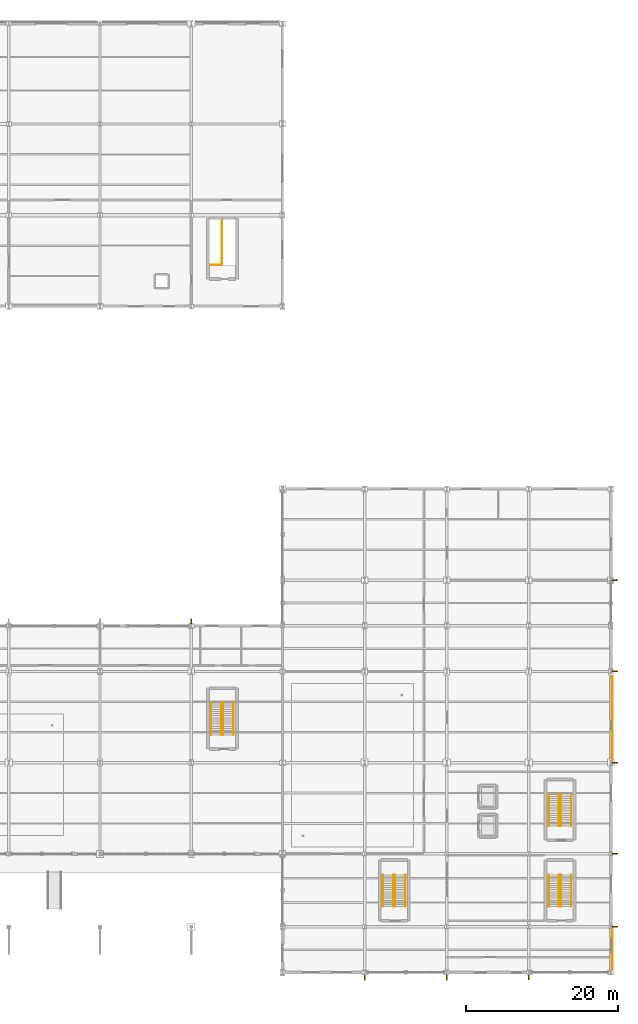
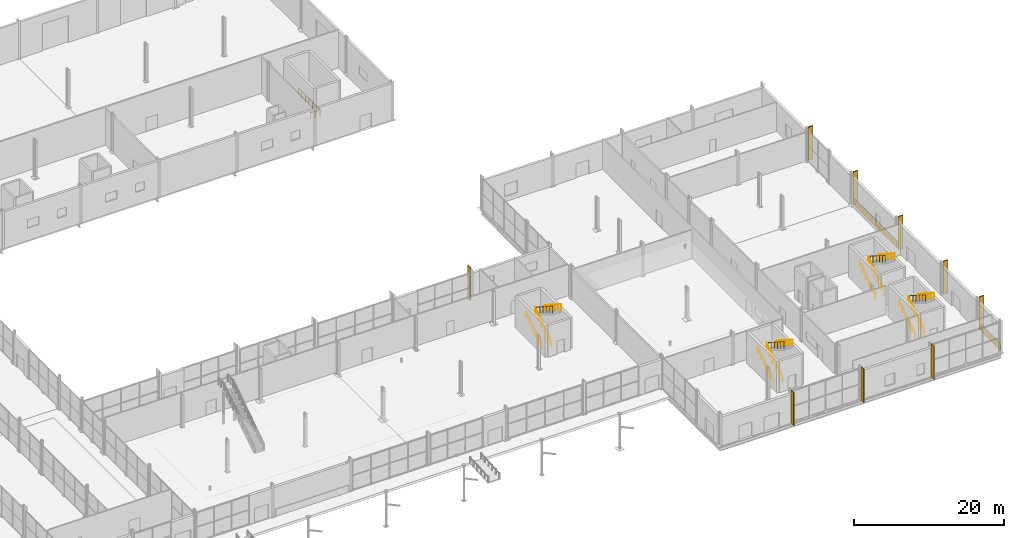
# One storey, part 194 of 196: 17 railings, 11 coverings.
"""IFC4 building model written with IfcOpenShell, lengths in metres."""

from ifc_helpers import new_model, si_unit, direction, frame, origin, origin_2d, place, context, subcontext, project, spatial, polyline, circle, outline, extrude, material, layer, layer_set, type_object, element, save


model = new_model("IFC4")

# Units and contexts
model_context = context("Model", 3, precision=1e-05, world=origin(), true_north=direction((0.0, 1.0)))
body_context = subcontext(model_context, "Body", "Model", "MODEL_VIEW")
ifc_project = project(units=[si_unit("LENGTHUNIT", "METRE"), si_unit("AREAUNIT", "SQUARE_METRE"), si_unit("VOLUMEUNIT", "CUBIC_METRE"), si_unit("PLANEANGLEUNIT", "RADIAN"), si_unit("MASSUNIT", "GRAM", prefix="KILO")], contexts=[model_context])

# Site, building, storey
site_placement = place(None, origin())
site = spatial("IfcSite", under=ifc_project, at=site_placement, CompositionType="ELEMENT")
building_placement = place(site_placement, origin())
building = spatial("IfcBuilding", under=site, at=building_placement, Name="Merenkruunu Market Hall", CompositionType="ELEMENT")
storey_placement = place(building_placement, origin())
storey = spatial("IfcBuildingStorey", under=building, at=storey_placement, Name="L00", CompositionType="ELEMENT", Elevation=0.0)

# Coverings
ifc_material_1 = material(Name="Precast concrete C40/50", Category="concrete")
ifc_layer_1 = layer(ifc_material_1, 0.139892578125)
ifc_layer_set_1 = layer_set([ifc_layer_1], Name="Precast concrete C40/50")
covering_type_1 = type_object("IfcCoveringType", Name="Architectural Precast Sun Fin CLD02", PredefinedType="CLADDING", material=ifc_layer_set_1)
covering_1_placement = place(storey_placement, origin())
element("IfcCovering", 1, at=covering_1_placement, inside=storey, type_object=covering_type_1, Name="FIN-N-L00-066", PredefinedType="CLADDING", context=body_context, shape_type="SweptSolid", body=[
    extrude(outline(polyline([(136.72998046875, 45.818115234375), (136.8701171875, 45.818115234375), (136.8701171875, 46.5400390625), (136.72998046875, 46.5400390625), (136.72998046875, 45.818115234375)])), origin(), (0.0, 0.0, 1.0), 5.39990234375),
])
covering_2_placement = place(storey_placement, origin())
element("IfcCovering", 2, at=covering_2_placement, inside=storey, type_object=covering_type_1, Name="FIN-S-L00-068", PredefinedType="CLADDING", context=body_context, shape_type="SweptSolid", body=[
    extrude(outline(polyline([(159.530029296875, -0.989990234375), (159.669921875, -0.989990234375), (159.669921875, -0.26806640625), (159.530029296875, -0.26806640625), (159.530029296875, -0.989990234375)])), origin(), (0.0, 0.0, 1.0), 5.39990234375),
])
covering_3_placement = place(storey_placement, origin())
element("IfcCovering", 3, at=covering_3_placement, inside=storey, type_object=covering_type_1, Name="FIN-S-L00-073", PredefinedType="CLADDING", context=body_context, shape_type="SweptSolid", body=[
    extrude(outline(polyline([(170.330078125, -0.989990234375), (170.469970703125, -0.989990234375), (170.469970703125, -0.26806640625), (170.330078125, -0.26806640625), (170.330078125, -0.989990234375)])), origin(), (0.0, 0.0, 1.0), 5.39990234375),
])
covering_4_placement = place(storey_placement, origin())
element("IfcCovering", 4, at=covering_4_placement, inside=storey, type_object=covering_type_1, Name="FIN-S-L00-078", PredefinedType="CLADDING", context=body_context, shape_type="SweptSolid", body=[
    extrude(outline(polyline([(181.1298828125, -0.989990234375), (181.27001953125, -0.989990234375), (181.27001953125, -0.26806640625), (181.1298828125, -0.26806640625), (181.1298828125, -0.989990234375)])), origin(), (0.0, 0.0, 1.0), 5.39990234375),
])
covering_5_placement = place(storey_placement, origin())
element("IfcCovering", 5, at=covering_5_placement, inside=storey, type_object=covering_type_1, Name="FIN-E-L00-083", PredefinedType="CLADDING", context=body_context, shape_type="SweptSolid", body=[
    extrude(outline(polyline([(192.14794921875, 5.929931640625), (192.8701171875, 5.929931640625), (192.8701171875, 6.070068359375), (192.14794921875, 6.070068359375), (192.14794921875, 5.929931640625)])), origin(), (0.0, 0.0, 1.0), 5.39990234375),
])
covering_6_placement = place(storey_placement, origin())
element("IfcCovering", 6, at=covering_6_placement, inside=storey, type_object=covering_type_1, Name="FIN-E-L00-088", PredefinedType="CLADDING", context=body_context, shape_type="SweptSolid", body=[
    extrude(outline(polyline([(192.14794921875, 15.530029296875), (192.8701171875, 15.530029296875), (192.8701171875, 15.669921875), (192.14794921875, 15.669921875), (192.14794921875, 15.530029296875)])), origin(), (0.0, 0.0, 1.0), 5.39990234375),
])
covering_7_placement = place(storey_placement, origin())
element("IfcCovering", 7, at=covering_7_placement, inside=storey, type_object=covering_type_1, Name="FIN-E-L00-093", PredefinedType="CLADDING", context=body_context, shape_type="SweptSolid", body=[
    extrude(outline(polyline([(192.14794921875, 27.530029296875), (192.8701171875, 27.530029296875), (192.8701171875, 27.669921875), (192.14794921875, 27.669921875), (192.14794921875, 27.530029296875)])), origin(), (0.0, 0.0, 1.0), 5.39990234375),
])
covering_8_placement = place(storey_placement, origin())
element("IfcCovering", 8, at=covering_8_placement, inside=storey, type_object=covering_type_1, Name="FIN-E-L00-098", PredefinedType="CLADDING", context=body_context, shape_type="SweptSolid", body=[
    extrude(outline(polyline([(192.14794921875, 39.530029296875), (192.8701171875, 39.530029296875), (192.8701171875, 39.669921875), (192.14794921875, 39.669921875), (192.14794921875, 39.530029296875)])), origin(), (0.0, 0.0, 1.0), 5.39990234375),
])
covering_9_placement = place(storey_placement, origin())
element("IfcCovering", 9, at=covering_9_placement, inside=storey, type_object=covering_type_1, Name="FIN-E-L00-102", PredefinedType="CLADDING", context=body_context, shape_type="SweptSolid", body=[
    extrude(outline(polyline([(192.14794921875, 51.530029296875), (192.8701171875, 51.530029296875), (192.8701171875, 51.669921875), (192.14794921875, 51.669921875), (192.14794921875, 51.530029296875)])), origin(), (0.0, 0.0, 1.0), 5.39990234375),
])

# Railings
ifc_material_2 = material(Name="Brushed stainless steel", Category="steel")
railing_type_1 = type_object("IfcRailingType", Name="Gallery Balustrade Guard GR01", PredefinedType="BALUSTRADE", material=ifc_material_2)
railing_1_placement = place(storey_placement, frame((185.18994140625, 8.64990234375, 0.0)))
element("IfcRailing", 10, at=railing_1_placement, inside=storey, type_object=railing_type_1, Name="RAIL-L00-0037", PredefinedType="BALUSTRADE", context=body_context, shape_type="SweptSolid", body=[
    extrude(circle(Radius=0.02392578125, at=origin_2d()), frame((0.0, 0.0, 1.076171875), z_axis=(0.0, 0.841194361566, 0.540732878665), x_axis=(-1.0, 0.0, 0.0)), (0.0, 0.0, 1.0), 4.9931640625),
    extrude(circle(Radius=0.02099609375, at=origin_2d()), origin(), (0.0, 0.0, 1.0), 1.052001953125),
    extrude(circle(Radius=0.02099609375, at=origin_2d()), frame((0.0, 0.840087890625, 0.5400390625)), (0.0, 0.0, 1.0), 1.052001953125),
    extrude(circle(Radius=0.02099609375, at=origin_2d()), frame((0.0, 1.68017578125, 1.080078125)), (0.0, 0.0, 1.0), 1.052001953125),
    extrude(circle(Radius=0.02099609375, at=origin_2d()), frame((0.0, 2.52001953125, 1.619873046875)), (0.0, 0.0, 1.0), 1.052001953125),
    extrude(circle(Radius=0.02099609375, at=origin_2d()), frame((0.0, 3.360107421875, 2.159912109375)), (0.0, 0.0, 1.0), 1.052001953125),
    extrude(circle(Radius=0.02099609375, at=origin_2d()), frame((0.0, 4.2001953125, 2.699951171875)), (0.0, 0.0, 1.0), 1.052001953125),
])
railing_2_placement = place(storey_placement, frame((185.409912109375, 12.85009765625, 2.699951171875)))
element("IfcRailing", 11, at=railing_2_placement, inside=storey, type_object=railing_type_1, Name="RAIL-L00-0038", PredefinedType="BALUSTRADE", context=body_context, shape_type="SweptSolid", body=[
    extrude(circle(Radius=0.02392578125, at=origin_2d()), frame((0.0, 0.0, 1.076171875), z_axis=(0.0, -0.841194361566, 0.540732878665), x_axis=(1.0, 0.0, 0.0)), (0.0, 0.0, 1.0), 4.9931640625),
    extrude(circle(Radius=0.02099609375, at=origin_2d()), origin(), (0.0, 0.0, 1.0), 1.052001953125),
    extrude(circle(Radius=0.02099609375, at=origin_2d()), frame((0.0, -0.840087890625, 0.5400390625)), (0.0, 0.0, 1.0), 1.052001953125),
    extrude(circle(Radius=0.02099609375, at=origin_2d()), frame((0.0, -1.68017578125, 1.080078125)), (0.0, 0.0, 1.0), 1.052001953125),
    extrude(circle(Radius=0.02099609375, at=origin_2d()), frame((0.0, -2.52001953125, 1.619873046875)), (0.0, 0.0, 1.0), 1.052001953125),
    extrude(circle(Radius=0.02099609375, at=origin_2d()), frame((0.0, -3.360107421875, 2.159912109375)), (0.0, 0.0, 1.0), 1.052001953125),
    extrude(circle(Radius=0.02099609375, at=origin_2d()), frame((0.0, -4.2001953125, 2.699951171875)), (0.0, 0.0, 1.0), 1.052001953125),
])
railing_3_placement = place(storey_placement, frame((185.18994140625, 19.25, 0.0)))
element("IfcRailing", 12, at=railing_3_placement, inside=storey, type_object=railing_type_1, Name="RAIL-L00-0054", PredefinedType="BALUSTRADE", context=body_context, shape_type="SweptSolid", body=[
    extrude(circle(Radius=0.02392578125, at=origin_2d()), frame((0.0, 0.0, 1.076171875), z_axis=(0.0, 0.841180064094, 0.540755119968), x_axis=(-1.0, 0.0, 0.0)), (0.0, 0.0, 1.0), 4.992919921875),
    extrude(circle(Radius=0.02099609375, at=origin_2d()), origin(), (0.0, 0.0, 1.0), 1.052001953125),
    extrude(circle(Radius=0.02099609375, at=origin_2d()), frame((0.0, 0.840087890625, 0.5400390625)), (0.0, 0.0, 1.0), 1.052001953125),
    extrude(circle(Radius=0.02099609375, at=origin_2d()), frame((0.0, 1.679931640625, 1.080078125)), (0.0, 0.0, 1.0), 1.052001953125),
    extrude(circle(Radius=0.02099609375, at=origin_2d()), frame((0.0, 2.52001953125, 1.619873046875)), (0.0, 0.0, 1.0), 1.052001953125),
    extrude(circle(Radius=0.02099609375, at=origin_2d()), frame((0.0, 3.35986328125, 2.159912109375)), (0.0, 0.0, 1.0), 1.052001953125),
    extrude(circle(Radius=0.02099609375, at=origin_2d()), frame((0.0, 4.199951171875, 2.699951171875)), (0.0, 0.0, 1.0), 1.052001953125),
])
railing_4_placement = place(storey_placement, frame((185.409912109375, 23.449951171875, 2.699951171875)))
element("IfcRailing", 13, at=railing_4_placement, inside=storey, type_object=railing_type_1, Name="RAIL-L00-0055", PredefinedType="BALUSTRADE", context=body_context, shape_type="SweptSolid", body=[
    extrude(circle(Radius=0.02392578125, at=origin_2d()), frame((0.0, 0.0, 1.076171875), z_axis=(0.0, -0.841180064094, 0.540755119968), x_axis=(1.0, 0.0, 0.0)), (0.0, 0.0, 1.0), 4.992919921875),
    extrude(circle(Radius=0.02099609375, at=origin_2d()), origin(), (0.0, 0.0, 1.0), 1.052001953125),
    extrude(circle(Radius=0.02099609375, at=origin_2d()), frame((0.0, -0.840087890625, 0.5400390625)), (0.0, 0.0, 1.0), 1.052001953125),
    extrude(circle(Radius=0.02099609375, at=origin_2d()), frame((0.0, -1.679931640625, 1.080078125)), (0.0, 0.0, 1.0), 1.052001953125),
    extrude(circle(Radius=0.02099609375, at=origin_2d()), frame((0.0, -2.52001953125, 1.619873046875)), (0.0, 0.0, 1.0), 1.052001953125),
    extrude(circle(Radius=0.02099609375, at=origin_2d()), frame((0.0, -3.35986328125, 2.159912109375)), (0.0, 0.0, 1.0), 1.052001953125),
    extrude(circle(Radius=0.02099609375, at=origin_2d()), frame((0.0, -4.199951171875, 2.699951171875)), (0.0, 0.0, 1.0), 1.052001953125),
])
railing_5_placement = place(storey_placement, frame((139.360107421875, 93.0400390625, 0.0)))
element("IfcRailing", 14, at=railing_5_placement, inside=storey, type_object=railing_type_1, Name="RAIL-L00-0075", PredefinedType="BALUSTRADE", context=body_context, shape_type="SweptSolid", body=[
    extrude(circle(Radius=0.02392578125, at=origin_2d()), frame((0.0, 0.0, 1.076171875), z_axis=(1.0, 0.0, 0.0), x_axis=(0.0, 1.0, 0.0)), (0.0, 0.0, 1.0), 1.5),
    extrude(circle(Radius=0.02392578125, at=origin_2d()), frame((1.5, 0.0, 1.076171875), z_axis=(0.0, 1.0, 0.0), x_axis=(-1.0, 0.0, 0.0)), (0.0, 0.0, 1.0), 5.800048828125),
    extrude(circle(Radius=0.02099609375, at=origin_2d()), origin(), (0.0, 0.0, 1.0), 1.052001953125),
    extrude(circle(Radius=0.02099609375, at=origin_2d()), frame((0.75, 0.0, 0.0)), (0.0, 0.0, 1.0), 1.052001953125),
    extrude(circle(Radius=0.02099609375, at=origin_2d()), frame((1.5, 0.0, 0.0)), (0.0, 0.0, 1.0), 1.052001953125),
    extrude(circle(Radius=0.02099609375, at=origin_2d()), frame((1.5, 0.966796875, 0.0)), (0.0, 0.0, 1.0), 1.052001953125),
    extrude(circle(Radius=0.02099609375, at=origin_2d()), frame((1.5, 1.933349609375, 0.0)), (0.0, 0.0, 1.0), 1.052001953125),
    extrude(circle(Radius=0.02099609375, at=origin_2d()), frame((1.5, 2.89990234375, 0.0)), (0.0, 0.0, 1.0), 1.052001953125),
    extrude(circle(Radius=0.02099609375, at=origin_2d()), frame((1.5, 3.86669921875, 0.0)), (0.0, 0.0, 1.0), 1.052001953125),
    extrude(circle(Radius=0.02099609375, at=origin_2d()), frame((1.5, 4.83349609375, 0.0)), (0.0, 0.0, 1.0), 1.052001953125),
    extrude(circle(Radius=0.02099609375, at=origin_2d()), frame((1.5, 5.800048828125, 0.0)), (0.0, 0.0, 1.0), 1.052001953125),
])
railing_6_placement = place(storey_placement, frame((140.7900390625, 31.25, 0.0)))
element("IfcRailing", 15, at=railing_6_placement, inside=storey, type_object=railing_type_1, Name="RAIL-L00-0076", PredefinedType="BALUSTRADE", context=body_context, shape_type="SweptSolid", body=[
    extrude(circle(Radius=0.02392578125, at=origin_2d()), frame((0.0, 0.0, 1.076171875), z_axis=(0.0, 0.841180064094, 0.540755119968), x_axis=(-1.0, 0.0, 0.0)), (0.0, 0.0, 1.0), 4.992919921875),
    extrude(circle(Radius=0.02099609375, at=origin_2d()), origin(), (0.0, 0.0, 1.0), 1.052001953125),
    extrude(circle(Radius=0.02099609375, at=origin_2d()), frame((0.0, 0.840087890625, 0.5400390625)), (0.0, 0.0, 1.0), 1.052001953125),
    extrude(circle(Radius=0.02099609375, at=origin_2d()), frame((0.0, 1.679931640625, 1.080078125)), (0.0, 0.0, 1.0), 1.052001953125),
    extrude(circle(Radius=0.02099609375, at=origin_2d()), frame((0.0, 2.52001953125, 1.619873046875)), (0.0, 0.0, 1.0), 1.052001953125),
    extrude(circle(Radius=0.02099609375, at=origin_2d()), frame((0.0, 3.35986328125, 2.159912109375)), (0.0, 0.0, 1.0), 1.052001953125),
    extrude(circle(Radius=0.02099609375, at=origin_2d()), frame((0.0, 4.199951171875, 2.699951171875)), (0.0, 0.0, 1.0), 1.052001953125),
])
railing_7_placement = place(storey_placement, frame((141.010009765625, 35.449951171875, 2.699951171875)))
element("IfcRailing", 16, at=railing_7_placement, inside=storey, type_object=railing_type_1, Name="RAIL-L00-0077", PredefinedType="BALUSTRADE", context=body_context, shape_type="SweptSolid", body=[
    extrude(circle(Radius=0.02392578125, at=origin_2d()), frame((0.0, 0.0, 1.076171875), z_axis=(0.0, -0.841180064094, 0.540755119968), x_axis=(1.0, 0.0, 0.0)), (0.0, 0.0, 1.0), 4.992919921875),
    extrude(circle(Radius=0.02099609375, at=origin_2d()), origin(), (0.0, 0.0, 1.0), 1.052001953125),
    extrude(circle(Radius=0.02099609375, at=origin_2d()), frame((0.0, -0.840087890625, 0.5400390625)), (0.0, 0.0, 1.0), 1.052001953125),
    extrude(circle(Radius=0.02099609375, at=origin_2d()), frame((0.0, -1.679931640625, 1.080078125)), (0.0, 0.0, 1.0), 1.052001953125),
    extrude(circle(Radius=0.02099609375, at=origin_2d()), frame((0.0, -2.52001953125, 1.619873046875)), (0.0, 0.0, 1.0), 1.052001953125),
    extrude(circle(Radius=0.02099609375, at=origin_2d()), frame((0.0, -3.35986328125, 2.159912109375)), (0.0, 0.0, 1.0), 1.052001953125),
    extrude(circle(Radius=0.02099609375, at=origin_2d()), frame((0.0, -4.199951171875, 2.699951171875)), (0.0, 0.0, 1.0), 1.052001953125),
])
railing_8_placement = place(storey_placement, frame((163.389892578125, 8.64990234375, 0.0)))
element("IfcRailing", 17, at=railing_8_placement, inside=storey, type_object=railing_type_1, Name="RAIL-L00-0081", PredefinedType="BALUSTRADE", context=body_context, shape_type="SweptSolid", body=[
    extrude(circle(Radius=0.02392578125, at=origin_2d()), frame((0.0, 0.0, 1.076171875), z_axis=(0.0, 0.841194361566, 0.540732878665), x_axis=(-1.0, 0.0, 0.0)), (0.0, 0.0, 1.0), 4.9931640625),
    extrude(circle(Radius=0.02099609375, at=origin_2d()), origin(), (0.0, 0.0, 1.0), 1.052001953125),
    extrude(circle(Radius=0.02099609375, at=origin_2d()), frame((0.0, 0.840087890625, 0.5400390625)), (0.0, 0.0, 1.0), 1.052001953125),
    extrude(circle(Radius=0.02099609375, at=origin_2d()), frame((0.0, 1.68017578125, 1.080078125)), (0.0, 0.0, 1.0), 1.052001953125),
    extrude(circle(Radius=0.02099609375, at=origin_2d()), frame((0.0, 2.52001953125, 1.619873046875)), (0.0, 0.0, 1.0), 1.052001953125),
    extrude(circle(Radius=0.02099609375, at=origin_2d()), frame((0.0, 3.360107421875, 2.159912109375)), (0.0, 0.0, 1.0), 1.052001953125),
    extrude(circle(Radius=0.02099609375, at=origin_2d()), frame((0.0, 4.2001953125, 2.699951171875)), (0.0, 0.0, 1.0), 1.052001953125),
])
railing_9_placement = place(storey_placement, frame((163.610107421875, 12.85009765625, 2.699951171875)))
element("IfcRailing", 18, at=railing_9_placement, inside=storey, type_object=railing_type_1, Name="RAIL-L00-0082", PredefinedType="BALUSTRADE", context=body_context, shape_type="SweptSolid", body=[
    extrude(circle(Radius=0.02392578125, at=origin_2d()), frame((0.0, 0.0, 1.076171875), z_axis=(0.0, -0.841194361566, 0.540732878665), x_axis=(1.0, 0.0, 0.0)), (0.0, 0.0, 1.0), 4.9931640625),
    extrude(circle(Radius=0.02099609375, at=origin_2d()), origin(), (0.0, 0.0, 1.0), 1.052001953125),
    extrude(circle(Radius=0.02099609375, at=origin_2d()), frame((0.0, -0.840087890625, 0.5400390625)), (0.0, 0.0, 1.0), 1.052001953125),
    extrude(circle(Radius=0.02099609375, at=origin_2d()), frame((0.0, -1.68017578125, 1.080078125)), (0.0, 0.0, 1.0), 1.052001953125),
    extrude(circle(Radius=0.02099609375, at=origin_2d()), frame((0.0, -2.52001953125, 1.619873046875)), (0.0, 0.0, 1.0), 1.052001953125),
    extrude(circle(Radius=0.02099609375, at=origin_2d()), frame((0.0, -3.360107421875, 2.159912109375)), (0.0, 0.0, 1.0), 1.052001953125),
    extrude(circle(Radius=0.02099609375, at=origin_2d()), frame((0.0, -4.2001953125, 2.699951171875)), (0.0, 0.0, 1.0), 1.052001953125),
])

# Coverings
ifc_material_3 = material(Name="Kuru grey granite", Category="masonry")
ifc_layer_2 = layer(ifc_material_3, 0.070068359375)
ifc_layer_set_2 = layer_set([ifc_layer_2], Name="Kuru grey granite")
covering_type_2 = type_object("IfcCoveringType", Name="Precast Granite Plinth Cladding CLD01", PredefinedType="CLADDING", material=ifc_layer_set_2)
covering_10_placement = place(storey_placement, origin())
element("IfcCovering", 19, at=covering_10_placement, inside=storey, type_object=covering_type_2, Name="CLD-E1", PredefinedType="CLADDING", context=body_context, shape_type="SweptSolid", body=[
    extrude(outline(polyline([(192.18994140625, 0.39990234375), (192.260009765625, 0.39990234375), (192.260009765625, 5.60009765625), (192.18994140625, 5.60009765625), (192.18994140625, 0.39990234375)])), origin(), (0.0, 0.0, 1.0), 1.14990234375),
])
covering_11_placement = place(storey_placement, origin())
element("IfcCovering", 20, at=covering_11_placement, inside=storey, type_object=covering_type_2, Name="CLD-E2", PredefinedType="CLADDING", context=body_context, shape_type="SweptSolid", body=[
    extrude(outline(polyline([(192.18994140625, 28.0), (192.260009765625, 28.0), (192.260009765625, 39.199951171875), (192.18994140625, 39.199951171875), (192.18994140625, 28.0)])), origin(), (0.0, 0.0, 1.0), 1.14990234375),
])

# Railings
railing_type_2 = type_object("IfcRailingType", Name="Stair Pitch Handrail HR01", PredefinedType="HANDRAIL", material=ifc_material_2)
railing_10_placement = place(storey_placement, frame((183.830078125, 8.64990234375, 0.0)))
element("IfcRailing", 21, at=railing_10_placement, inside=storey, type_object=railing_type_2, Name="RAIL-L00-0039", PredefinedType="HANDRAIL", context=body_context, shape_type="SweptSolid", body=[
    extrude(circle(Radius=0.02392578125, at=origin_2d()), frame((0.0, 0.0, 0.8759765625), z_axis=(0.0, 0.841194361566, 0.540732878665), x_axis=(-1.0, 0.0, 0.0)), (0.0, 0.0, 1.0), 4.9931640625),
    extrude(circle(Radius=0.02099609375, at=origin_2d()), origin(), (0.0, 0.0, 1.0), 0.851806640625),
    extrude(circle(Radius=0.02099609375, at=origin_2d()), frame((0.0, 0.840087890625, 0.5400390625)), (0.0, 0.0, 1.0), 0.851806640625),
    extrude(circle(Radius=0.02099609375, at=origin_2d()), frame((0.0, 1.68017578125, 1.080078125)), (0.0, 0.0, 1.0), 0.851806640625),
    extrude(circle(Radius=0.02099609375, at=origin_2d()), frame((0.0, 2.52001953125, 1.619873046875)), (0.0, 0.0, 1.0), 0.851806640625),
    extrude(circle(Radius=0.02099609375, at=origin_2d()), frame((0.0, 3.360107421875, 2.159912109375)), (0.0, 0.0, 1.0), 0.851806640625),
    extrude(circle(Radius=0.02099609375, at=origin_2d()), frame((0.0, 4.2001953125, 2.699951171875)), (0.0, 0.0, 1.0), 0.851806640625),
])
railing_11_placement = place(storey_placement, frame((186.77001953125, 12.85009765625, 2.699951171875)))
element("IfcRailing", 22, at=railing_11_placement, inside=storey, type_object=railing_type_2, Name="RAIL-L00-0040", PredefinedType="HANDRAIL", context=body_context, shape_type="SweptSolid", body=[
    extrude(circle(Radius=0.02392578125, at=origin_2d()), frame((0.0, 0.0, 0.8759765625), z_axis=(0.0, -0.841194361566, 0.540732878665), x_axis=(1.0, 0.0, 0.0)), (0.0, 0.0, 1.0), 4.9931640625),
    extrude(circle(Radius=0.02099609375, at=origin_2d()), origin(), (0.0, 0.0, 1.0), 0.851806640625),
    extrude(circle(Radius=0.02099609375, at=origin_2d()), frame((0.0, -0.840087890625, 0.5400390625)), (0.0, 0.0, 1.0), 0.851806640625),
    extrude(circle(Radius=0.02099609375, at=origin_2d()), frame((0.0, -1.68017578125, 1.080078125)), (0.0, 0.0, 1.0), 0.851806640625),
    extrude(circle(Radius=0.02099609375, at=origin_2d()), frame((0.0, -2.52001953125, 1.619873046875)), (0.0, 0.0, 1.0), 0.851806640625),
    extrude(circle(Radius=0.02099609375, at=origin_2d()), frame((0.0, -3.360107421875, 2.159912109375)), (0.0, 0.0, 1.0), 0.851806640625),
    extrude(circle(Radius=0.02099609375, at=origin_2d()), frame((0.0, -4.2001953125, 2.699951171875)), (0.0, 0.0, 1.0), 0.851806640625),
])
railing_12_placement = place(storey_placement, frame((183.830078125, 19.25, 0.0)))
element("IfcRailing", 23, at=railing_12_placement, inside=storey, type_object=railing_type_2, Name="RAIL-L00-0056", PredefinedType="HANDRAIL", context=body_context, shape_type="SweptSolid", body=[
    extrude(circle(Radius=0.02392578125, at=origin_2d()), frame((0.0, 0.0, 0.8759765625), z_axis=(0.0, 0.841180064094, 0.540755119968), x_axis=(-1.0, 0.0, 0.0)), (0.0, 0.0, 1.0), 4.992919921875),
    extrude(circle(Radius=0.02099609375, at=origin_2d()), origin(), (0.0, 0.0, 1.0), 0.851806640625),
    extrude(circle(Radius=0.02099609375, at=origin_2d()), frame((0.0, 0.840087890625, 0.5400390625)), (0.0, 0.0, 1.0), 0.851806640625),
    extrude(circle(Radius=0.02099609375, at=origin_2d()), frame((0.0, 1.679931640625, 1.080078125)), (0.0, 0.0, 1.0), 0.851806640625),
    extrude(circle(Radius=0.02099609375, at=origin_2d()), frame((0.0, 2.52001953125, 1.619873046875)), (0.0, 0.0, 1.0), 0.851806640625),
    extrude(circle(Radius=0.02099609375, at=origin_2d()), frame((0.0, 3.35986328125, 2.159912109375)), (0.0, 0.0, 1.0), 0.851806640625),
    extrude(circle(Radius=0.02099609375, at=origin_2d()), frame((0.0, 4.199951171875, 2.699951171875)), (0.0, 0.0, 1.0), 0.851806640625),
])
railing_13_placement = place(storey_placement, frame((186.77001953125, 23.449951171875, 2.699951171875)))
element("IfcRailing", 24, at=railing_13_placement, inside=storey, type_object=railing_type_2, Name="RAIL-L00-0057", PredefinedType="HANDRAIL", context=body_context, shape_type="SweptSolid", body=[
    extrude(circle(Radius=0.02392578125, at=origin_2d()), frame((0.0, 0.0, 0.8759765625), z_axis=(0.0, -0.841180064094, 0.540755119968), x_axis=(1.0, 0.0, 0.0)), (0.0, 0.0, 1.0), 4.992919921875),
    extrude(circle(Radius=0.02099609375, at=origin_2d()), origin(), (0.0, 0.0, 1.0), 0.851806640625),
    extrude(circle(Radius=0.02099609375, at=origin_2d()), frame((0.0, -0.840087890625, 0.5400390625)), (0.0, 0.0, 1.0), 0.851806640625),
    extrude(circle(Radius=0.02099609375, at=origin_2d()), frame((0.0, -1.679931640625, 1.080078125)), (0.0, 0.0, 1.0), 0.851806640625),
    extrude(circle(Radius=0.02099609375, at=origin_2d()), frame((0.0, -2.52001953125, 1.619873046875)), (0.0, 0.0, 1.0), 0.851806640625),
    extrude(circle(Radius=0.02099609375, at=origin_2d()), frame((0.0, -3.35986328125, 2.159912109375)), (0.0, 0.0, 1.0), 0.851806640625),
    extrude(circle(Radius=0.02099609375, at=origin_2d()), frame((0.0, -4.199951171875, 2.699951171875)), (0.0, 0.0, 1.0), 0.851806640625),
])
railing_14_placement = place(storey_placement, frame((139.429931640625, 31.25, 0.0)))
element("IfcRailing", 25, at=railing_14_placement, inside=storey, type_object=railing_type_2, Name="RAIL-L00-0078", PredefinedType="HANDRAIL", context=body_context, shape_type="SweptSolid", body=[
    extrude(circle(Radius=0.02392578125, at=origin_2d()), frame((0.0, 0.0, 0.8759765625), z_axis=(0.0, 0.841180064094, 0.540755119968), x_axis=(-1.0, 0.0, 0.0)), (0.0, 0.0, 1.0), 4.992919921875),
    extrude(circle(Radius=0.02099609375, at=origin_2d()), origin(), (0.0, 0.0, 1.0), 0.851806640625),
    extrude(circle(Radius=0.02099609375, at=origin_2d()), frame((0.0, 0.840087890625, 0.5400390625)), (0.0, 0.0, 1.0), 0.851806640625),
    extrude(circle(Radius=0.02099609375, at=origin_2d()), frame((0.0, 1.679931640625, 1.080078125)), (0.0, 0.0, 1.0), 0.851806640625),
    extrude(circle(Radius=0.02099609375, at=origin_2d()), frame((0.0, 2.52001953125, 1.619873046875)), (0.0, 0.0, 1.0), 0.851806640625),
    extrude(circle(Radius=0.02099609375, at=origin_2d()), frame((0.0, 3.35986328125, 2.159912109375)), (0.0, 0.0, 1.0), 0.851806640625),
    extrude(circle(Radius=0.02099609375, at=origin_2d()), frame((0.0, 4.199951171875, 2.699951171875)), (0.0, 0.0, 1.0), 0.851806640625),
])
railing_15_placement = place(storey_placement, frame((142.3701171875, 35.449951171875, 2.699951171875)))
element("IfcRailing", 26, at=railing_15_placement, inside=storey, type_object=railing_type_2, Name="RAIL-L00-0079", PredefinedType="HANDRAIL", context=body_context, shape_type="SweptSolid", body=[
    extrude(circle(Radius=0.02392578125, at=origin_2d()), frame((0.0, 0.0, 0.8759765625), z_axis=(0.0, -0.841180064094, 0.540755119968), x_axis=(1.0, 0.0, 0.0)), (0.0, 0.0, 1.0), 4.992919921875),
    extrude(circle(Radius=0.02099609375, at=origin_2d()), origin(), (0.0, 0.0, 1.0), 0.851806640625),
    extrude(circle(Radius=0.02099609375, at=origin_2d()), frame((0.0, -0.840087890625, 0.5400390625)), (0.0, 0.0, 1.0), 0.851806640625),
    extrude(circle(Radius=0.02099609375, at=origin_2d()), frame((0.0, -1.679931640625, 1.080078125)), (0.0, 0.0, 1.0), 0.851806640625),
    extrude(circle(Radius=0.02099609375, at=origin_2d()), frame((0.0, -2.52001953125, 1.619873046875)), (0.0, 0.0, 1.0), 0.851806640625),
    extrude(circle(Radius=0.02099609375, at=origin_2d()), frame((0.0, -3.35986328125, 2.159912109375)), (0.0, 0.0, 1.0), 0.851806640625),
    extrude(circle(Radius=0.02099609375, at=origin_2d()), frame((0.0, -4.199951171875, 2.699951171875)), (0.0, 0.0, 1.0), 0.851806640625),
])
railing_16_placement = place(storey_placement, frame((162.030029296875, 8.64990234375, 0.0)))
element("IfcRailing", 27, at=railing_16_placement, inside=storey, type_object=railing_type_2, Name="RAIL-L00-0083", PredefinedType="HANDRAIL", context=body_context, shape_type="SweptSolid", body=[
    extrude(circle(Radius=0.02392578125, at=origin_2d()), frame((0.0, 0.0, 0.8759765625), z_axis=(0.0, 0.841194361566, 0.540732878665), x_axis=(-1.0, 0.0, 0.0)), (0.0, 0.0, 1.0), 4.9931640625),
    extrude(circle(Radius=0.02099609375, at=origin_2d()), origin(), (0.0, 0.0, 1.0), 0.851806640625),
    extrude(circle(Radius=0.02099609375, at=origin_2d()), frame((0.0, 0.840087890625, 0.5400390625)), (0.0, 0.0, 1.0), 0.851806640625),
    extrude(circle(Radius=0.02099609375, at=origin_2d()), frame((0.0, 1.68017578125, 1.080078125)), (0.0, 0.0, 1.0), 0.851806640625),
    extrude(circle(Radius=0.02099609375, at=origin_2d()), frame((0.0, 2.52001953125, 1.619873046875)), (0.0, 0.0, 1.0), 0.851806640625),
    extrude(circle(Radius=0.02099609375, at=origin_2d()), frame((0.0, 3.360107421875, 2.159912109375)), (0.0, 0.0, 1.0), 0.851806640625),
    extrude(circle(Radius=0.02099609375, at=origin_2d()), frame((0.0, 4.2001953125, 2.699951171875)), (0.0, 0.0, 1.0), 0.851806640625),
])
railing_17_placement = place(storey_placement, frame((164.969970703125, 12.85009765625, 2.699951171875)))
element("IfcRailing", 28, at=railing_17_placement, inside=storey, type_object=railing_type_2, Name="RAIL-L00-0084", PredefinedType="HANDRAIL", context=body_context, shape_type="SweptSolid", body=[
    extrude(circle(Radius=0.02392578125, at=origin_2d()), frame((0.0, 0.0, 0.8759765625), z_axis=(0.0, -0.841194361566, 0.540732878665), x_axis=(1.0, 0.0, 0.0)), (0.0, 0.0, 1.0), 4.9931640625),
    extrude(circle(Radius=0.02099609375, at=origin_2d()), origin(), (0.0, 0.0, 1.0), 0.851806640625),
    extrude(circle(Radius=0.02099609375, at=origin_2d()), frame((0.0, -0.840087890625, 0.5400390625)), (0.0, 0.0, 1.0), 0.851806640625),
    extrude(circle(Radius=0.02099609375, at=origin_2d()), frame((0.0, -1.68017578125, 1.080078125)), (0.0, 0.0, 1.0), 0.851806640625),
    extrude(circle(Radius=0.02099609375, at=origin_2d()), frame((0.0, -2.52001953125, 1.619873046875)), (0.0, 0.0, 1.0), 0.851806640625),
    extrude(circle(Radius=0.02099609375, at=origin_2d()), frame((0.0, -3.360107421875, 2.159912109375)), (0.0, 0.0, 1.0), 0.851806640625),
    extrude(circle(Radius=0.02099609375, at=origin_2d()), frame((0.0, -4.2001953125, 2.699951171875)), (0.0, 0.0, 1.0), 0.851806640625),
])

save(model, "model.ifc")
